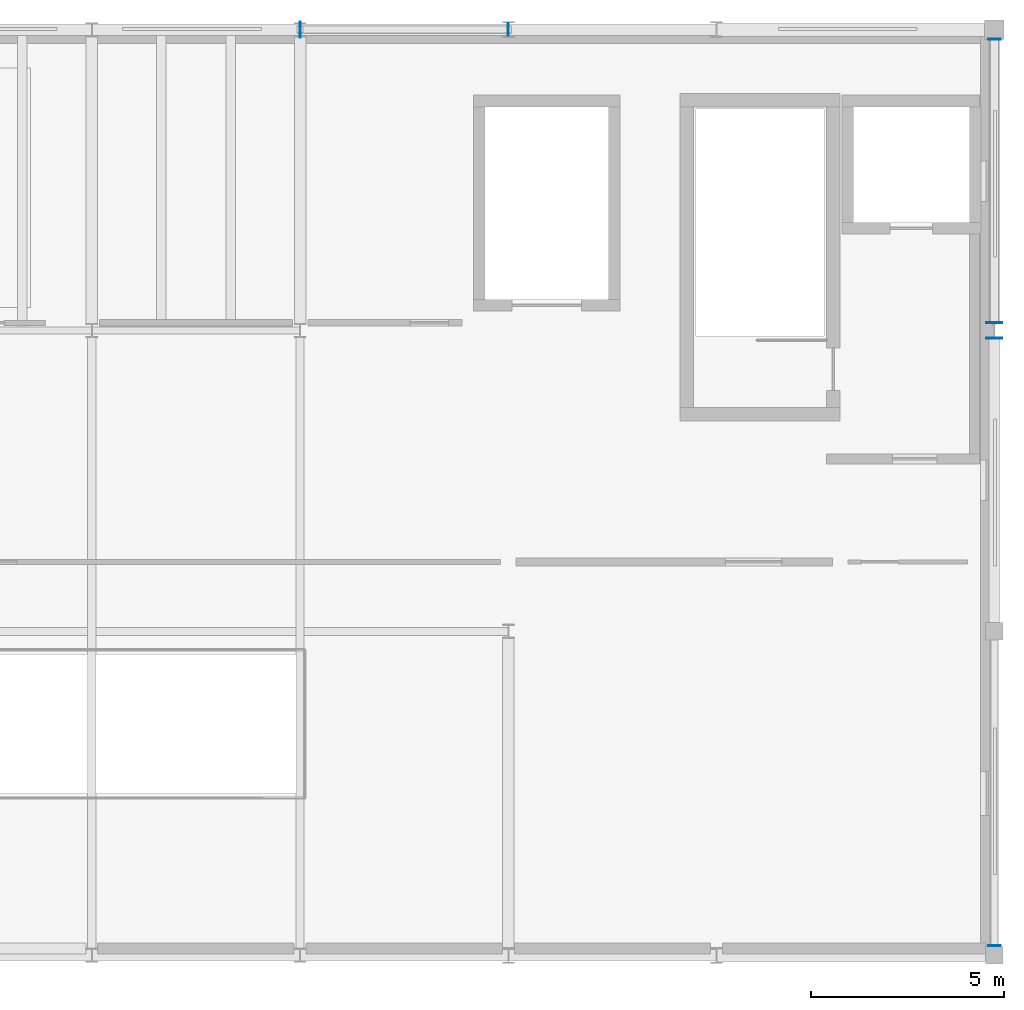
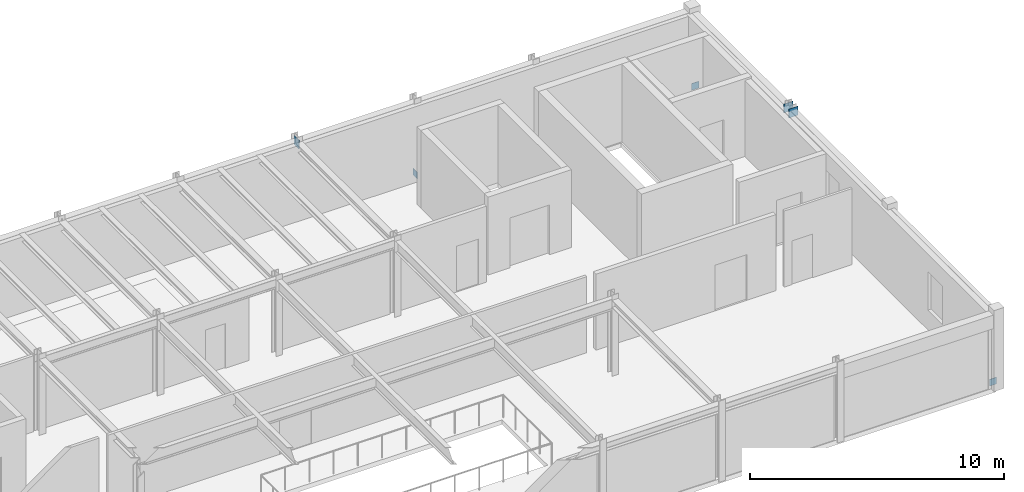
# One storey, part 5 of 8: 6 plates.
"""IFC4 building model written with IfcOpenShell, lengths in metres."""

from ifc_helpers import new_model, si_unit, direction, frame, origin, origin_2d, place, context, subcontext, project, spatial, rectangle, extrude, material, layer, layer_set, type_object, element, save


model = new_model("IFC4")

# Units and contexts
model_context = context("Model", 3, precision=1e-05, world=origin(), true_north=direction((0.0, 1.0)))
body_context = subcontext(model_context, "Body", "Model", "MODEL_VIEW")
ifc_project = project(units=[si_unit("LENGTHUNIT", "METRE"), si_unit("AREAUNIT", "SQUARE_METRE"), si_unit("VOLUMEUNIT", "CUBIC_METRE"), si_unit("PLANEANGLEUNIT", "RADIAN"), si_unit("MASSUNIT", "GRAM", prefix="KILO")], contexts=[model_context])

# Site, building, storey
site_placement = place(None, origin())
site = spatial("IfcSite", under=ifc_project, at=site_placement, CompositionType="ELEMENT")
building_placement = place(site_placement, origin())
building = spatial("IfcBuilding", under=site, at=building_placement, Name="Tazoul Stagehouse", CompositionType="ELEMENT")
storey_placement = place(building_placement, frame((0.0, 0.0, 21.0)))
storey = spatial("IfcBuildingStorey", under=building, at=storey_placement, Name="L05", CompositionType="ELEMENT", Elevation=21.0)

# Plates
ifc_material = material(Name="Steel S355", Category="steel")
ifc_layer_1 = layer(ifc_material, 0.02001953125, Name="Steel S355")
ifc_layer_set_1 = layer_set([ifc_layer_1], Name="Steel S355")
plate_type_1 = type_object("IfcPlateType", Name="Steel Brace End-Cap Plate 320x320x20 (Exterior)", PredefinedType="USERDEFINED", material=ifc_layer_set_1)
for number, where, z_axis, x_axis, name in (
    (1, (102.60009765625, 88.050048828125, -0.0400390625), (0.0, 0.0, 1.0), (0.0, 1.0, 0.0), "L05 Gusset End-Cap Plate GP-01E (BR-FT-L05-E1-1)"),
    (2, (102.60009765625, 111.550048828125, -0.0400390625), (0.0, 0.0, 1.0), (0.0, -1.0, 0.0), "L05 Gusset End-Cap Plate GP-01E (BR-FT-L05-E2-1)"),
    (3, (90.0, 111.800048828125, -0.01025390625), (0.0, 0.0, 1.0), (-1.0, 0.0, 0.0), "L05 Gusset End-Cap Plate GP-01E (BR-FT-L05-N2-1)"),
):
    element("IfcPlate", number, at=place(storey_placement, frame(where, z_axis=z_axis, x_axis=x_axis)), inside=storey, type_object=plate_type_1, Name=name, ObjectType="GUSSET PLATE", PredefinedType="USERDEFINED", context=body_context, shape_type="SweptSolid", body=[
        extrude(rectangle(XDim=0.02001953125, YDim=0.320068359375, at=origin_2d()), origin(), (0.0, 0.0, 1.0), 0.320068359375),
    ])
ifc_layer_2 = layer(ifc_material, 0.02392578125, Name="Steel S355")
ifc_layer_set_2 = layer_set([ifc_layer_2], Name="Steel S355")
plate_type_2 = type_object("IfcPlateType", Name="Steel Gusset Node Plate 420x420x24 (Exterior)", PredefinedType="USERDEFINED", material=ifc_layer_set_2)
for number, where, z_axis, x_axis, name in (
    (4, (102.60009765625, 103.800048828125, 3.340087890625), (0.0, 0.0, 1.0), (0.0, 1.0, 0.0), "L05 Gusset End-Cap Plate GP-02E (BR-FT-L05-E1-2)"),
    (5, (102.60009765625, 104.199951171875, 3.340087890625), (0.0, 0.0, 1.0), (0.0, -1.0, 0.0), "L05 Gusset End-Cap Plate GP-02E (BR-FT-L05-E2-2)"),
    (6, (84.60009765625, 111.800048828125, 3.340087890625), (0.0, 0.0, 1.0), (-1.0, 0.0, 0.0), "L05 Gusset End-Cap Plate GP-02E (BR-FT-L05-N2-2)"),
):
    element("IfcPlate", number, at=place(storey_placement, frame(where, z_axis=z_axis, x_axis=x_axis)), inside=storey, type_object=plate_type_2, Name=name, ObjectType="GUSSET PLATE", PredefinedType="USERDEFINED", context=body_context, shape_type="SweptSolid", body=[
        extrude(rectangle(XDim=0.02392578125, YDim=0.419921875, at=origin_2d()), origin(), (0.0, 0.0, 1.0), 0.419921875),
    ])

save(model, "model.ifc")
